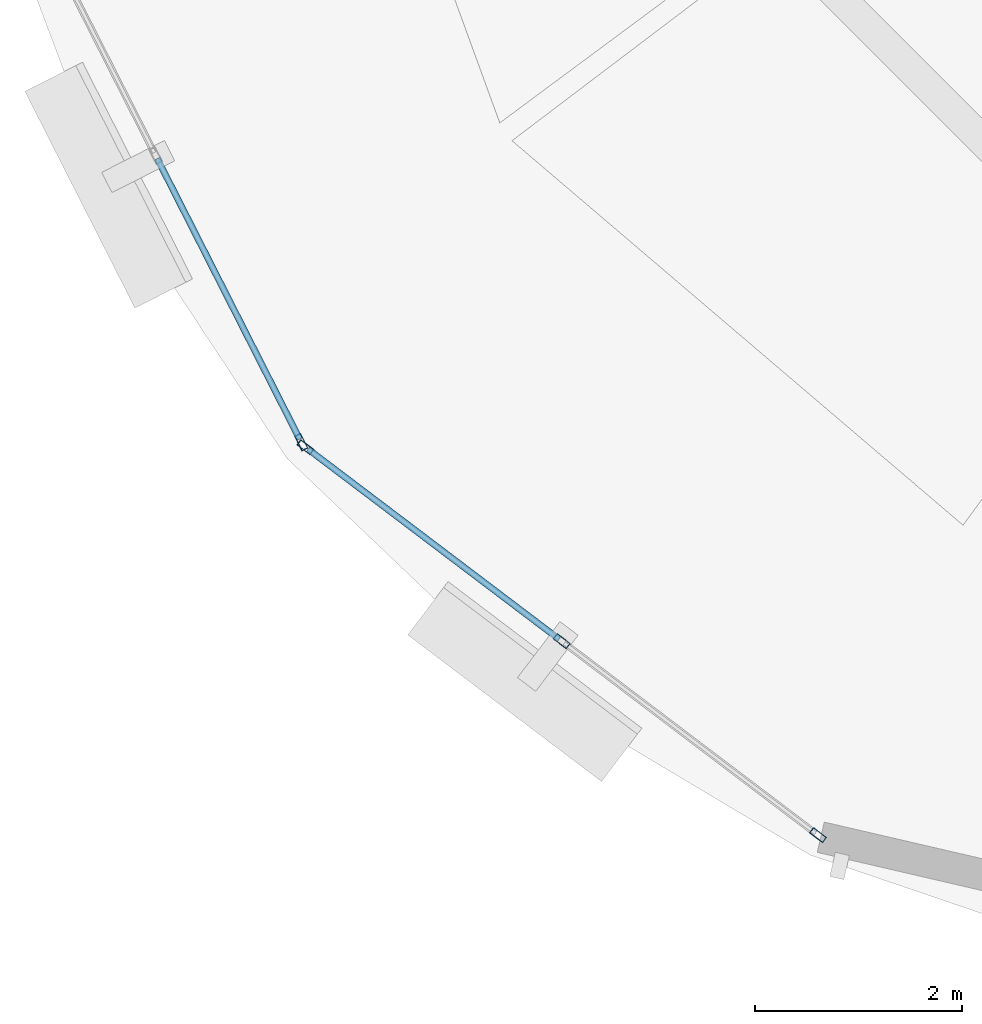
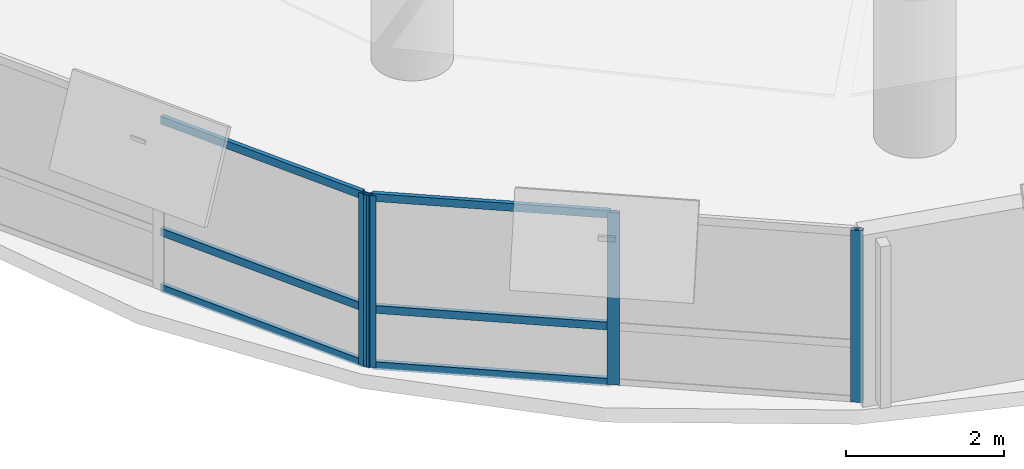
# One storey, part 2 of 12: 10 members, 2 elements without a shape of their own.
"""IFC4 building model written with IfcOpenShell, lengths in metres."""

from ifc_helpers import new_model, si_unit, direction, frame, origin, origin_2d, place, context, subcontext, project, spatial, hollow_rectangle, extrude, material, layer, layer_set, material_profile, profile_set, type_object, element, aggregate, save


model = new_model("IFC4")

# Units and contexts
model_context = context("Model", 3, precision=1e-05, world=origin(), true_north=direction((0.0, 1.0)))
body_context = subcontext(model_context, "Body", "Model", "MODEL_VIEW")
ifc_project = project(units=[si_unit("LENGTHUNIT", "METRE"), si_unit("AREAUNIT", "SQUARE_METRE"), si_unit("VOLUMEUNIT", "CUBIC_METRE"), si_unit("PLANEANGLEUNIT", "RADIAN"), si_unit("MASSUNIT", "GRAM", prefix="KILO"), si_unit("THERMODYNAMICTEMPERATUREUNIT", "KELVIN"), si_unit("POWERUNIT", "WATT")], contexts=[model_context])

# Site, building, storey
site_placement = place(None, origin())
site = spatial("IfcSite", under=ifc_project, at=site_placement, CompositionType="ELEMENT")
building_placement = place(site_placement, origin())
building = spatial("IfcBuilding", under=site, at=building_placement, Name="Ocrelia Relay Tower", CompositionType="ELEMENT")
storey_placement = place(building_placement, frame((0.0, 0.0, 198.800048828125)))
storey = spatial("IfcBuildingStorey", under=building, at=storey_placement, Name="L48", CompositionType="ELEMENT", Elevation=198.800048828125)

# Curtain wall, member
ifc_material_1 = material(Name="Aluminium and solar-control low-E glass", Category="aluminium")
ifc_layer = layer(ifc_material_1, 0.179931640625, Name="Aluminium and solar-control low-E glass")
ifc_layer_set = layer_set([ifc_layer], Name="Aluminium and solar-control low-E glass")
curtain_wall_type = type_object("IfcCurtainWallType", Name="CW-SYS-Z3-CLOU", PredefinedType="NOTDEFINED", material=ifc_layer_set)
curtain_wall_1_placement = place(storey_placement, origin())
curtain_wall_1 = element("IfcCurtainWall", 1, at=curtain_wall_1_placement, inside=storey, type_object=curtain_wall_type, Name="L48 Elliptical Tower Curtain Wall Bay 09", PredefinedType="NOTDEFINED")
ifc_material_2 = material(Name="Anodised bronze aluminium", Category="aluminium")
ifc_material_profile_1 = material_profile(ifc_material_2, hollow_rectangle(XDim=0.06494140625, YDim=0.159912109375, WallThickness=0.0048828125, at=origin_2d()), Name="CW-MUL-160x65")
ifc_profile_set_1 = profile_set([ifc_material_profile_1], Name="Anodised bronze aluminium")
member_type_1 = type_object("IfcMemberType", Name="CW-SYS-Z3-CLOU-MUL", PredefinedType="MULLION", material=ifc_profile_set_1)
member_1_placement = place(storey_placement, frame((16.03369140625, 11.01904296875, 0.0), z_axis=(0.0, 0.0, 1.0), x_axis=(0.891643737552, 0.4527377224, 0.0)))
member_1 = element("IfcMember", 2, at=member_1_placement, type_object=member_type_1, Name="CW-Z3 mullion 3", PredefinedType="MULLION", context=body_context, shape_type="SweptSolid", body=[
    extrude(hollow_rectangle(XDim=0.06494140625, YDim=0.159912109375, WallThickness=0.0048828125, at=origin_2d()), origin(), (0.0, 0.0, 1.0), 2.659912109375),
])

# Curtain wall, members
curtain_wall_2_placement = place(storey_placement, origin())
curtain_wall_2 = element("IfcCurtainWall", 3, at=curtain_wall_2_placement, inside=storey, type_object=curtain_wall_type, Name="L48 Elliptical Tower Curtain Wall Bay 10", PredefinedType="NOTDEFINED")
member_2_placement = place(storey_placement, frame((16.07421875, 10.970458984375, 0.0), z_axis=(0.0, 0.0, 1.0), x_axis=(0.603480690615, 0.79737761196, 0.0)))
member_2 = element("IfcMember", 4, at=member_2_placement, type_object=member_type_1, Name="CW-Z3 mullion 1", PredefinedType="MULLION", context=body_context, shape_type="SweptSolid", body=[
    extrude(hollow_rectangle(XDim=0.06494140625, YDim=0.159912109375, WallThickness=0.0048828125, at=origin_2d()), origin(), (0.0, 0.0, 1.0), 2.659912109375),
])
member_3_placement = place(storey_placement, frame((18.55322265625, 9.09423828125, 0.0), z_axis=(0.0, 0.0, 1.0), x_axis=(0.603480690615, 0.79737761196, 0.0)))
member_3 = element("IfcMember", 5, at=member_3_placement, type_object=member_type_1, Name="CW-Z3 mullion 2", PredefinedType="MULLION", context=body_context, shape_type="SweptSolid", body=[
    extrude(hollow_rectangle(XDim=0.06494140625, YDim=0.159912109375, WallThickness=0.0048828125, at=origin_2d()), origin(), (0.0, 0.0, 1.0), 2.659912109375),
])
member_4_placement = place(storey_placement, frame((21.031982421875, 7.21826171875, 0.0), z_axis=(0.0, 0.0, 1.0), x_axis=(0.603480690615, 0.79737761196, 0.0)))
member_4 = element("IfcMember", 6, at=member_4_placement, type_object=member_type_1, Name="CW-Z3 mullion 3", PredefinedType="MULLION", context=body_context, shape_type="SweptSolid", body=[
    extrude(hollow_rectangle(XDim=0.06494140625, YDim=0.159912109375, WallThickness=0.0048828125, at=origin_2d()), origin(), (0.0, 0.0, 1.0), 2.659912109375),
])

# Member
ifc_material_profile_2 = material_profile(ifc_material_2, hollow_rectangle(XDim=0.06005859375, YDim=0.1201171875, WallThickness=0.0048828125, at=origin_2d()), Name="CW-TRN-120x60")
ifc_profile_set_2 = profile_set([ifc_material_profile_2], Name="Anodised bronze aluminium")
member_type_2 = type_object("IfcMemberType", Name="CW-SYS-Z3-CLOU-TRN", PredefinedType="USERDEFINED", material=ifc_profile_set_2)
member_5_placement = place(storey_placement, frame((14.640869140625, 13.761962890625, 0.030029296875), z_axis=(0.45272375649, -0.891650828693, 0.0), x_axis=(0.891650828693, 0.45272375649, 0.0)))
member_5 = element("IfcMember", 7, at=member_5_placement, type_object=member_type_2, Name="CW-Z3 transom 2.1", ObjectType="TRANSOM", PredefinedType="USERDEFINED", context=body_context, shape_type="SweptSolid", body=[
    extrude(hollow_rectangle(XDim=0.06005859375, YDim=0.1201171875, WallThickness=0.0048828125, at=origin_2d()), origin(), (0.0, 0.0, 1.0), 3.043701171875),
])

member_6_placement = place(storey_placement, frame((14.640869140625, 13.761962890625, 0.89990234375), z_axis=(0.45272375649, -0.891650828693, 0.0), x_axis=(0.891650828693, 0.45272375649, 0.0)))
member_6 = element("IfcMember", 8, at=member_6_placement, type_object=member_type_2, Name="CW-Z3 transom 2.2", ObjectType="TRANSOM", PredefinedType="USERDEFINED", context=body_context, shape_type="SweptSolid", body=[
    extrude(hollow_rectangle(XDim=0.06005859375, YDim=0.1201171875, WallThickness=0.0048828125, at=origin_2d()), origin(), (0.0, 0.0, 1.0), 3.043701171875),
])

member_7_placement = place(storey_placement, frame((14.640869140625, 13.761962890625, 2.6298828125), z_axis=(0.45272375649, -0.891650828693, 0.0), x_axis=(0.891650828693, 0.45272375649, 0.0)))
member_7 = element("IfcMember", 9, at=member_7_placement, type_object=member_type_2, Name="CW-Z3 transom 2.3", ObjectType="TRANSOM", PredefinedType="USERDEFINED", context=body_context, shape_type="SweptSolid", body=[
    extrude(hollow_rectangle(XDim=0.06005859375, YDim=0.1201171875, WallThickness=0.0048828125, at=origin_2d()), origin(), (0.0, 0.0, 1.0), 3.043701171875),
])

aggregate(curtain_wall_1, [member_1, member_5, member_6, member_7])

member_8_placement = place(storey_placement, frame((16.10009765625, 10.950927734375, 0.030029296875), z_axis=(0.7973938686, -0.603459210154, 0.0), x_axis=(0.603459210154, 0.7973938686, 0.0)))
member_8 = element("IfcMember", 10, at=member_8_placement, type_object=member_type_2, Name="CW-Z3 transom 1.1", ObjectType="TRANSOM", PredefinedType="USERDEFINED", context=body_context, shape_type="SweptSolid", body=[
    extrude(hollow_rectangle(XDim=0.06005859375, YDim=0.1201171875, WallThickness=0.0048828125, at=origin_2d()), origin(), (0.0, 0.0, 1.0), 3.0439453125),
])

member_9_placement = place(storey_placement, frame((16.10009765625, 10.950927734375, 0.89990234375), z_axis=(0.7973938686, -0.603459210154, 0.0), x_axis=(0.603459210154, 0.7973938686, 0.0)))
member_9 = element("IfcMember", 11, at=member_9_placement, type_object=member_type_2, Name="CW-Z3 transom 1.2", ObjectType="TRANSOM", PredefinedType="USERDEFINED", context=body_context, shape_type="SweptSolid", body=[
    extrude(hollow_rectangle(XDim=0.06005859375, YDim=0.1201171875, WallThickness=0.0048828125, at=origin_2d()), origin(), (0.0, 0.0, 1.0), 3.0439453125),
])

member_10_placement = place(storey_placement, frame((16.10009765625, 10.950927734375, 2.6298828125), z_axis=(0.7973938686, -0.603459210154, 0.0), x_axis=(0.603459210154, 0.7973938686, 0.0)))
member_10 = element("IfcMember", 12, at=member_10_placement, type_object=member_type_2, Name="CW-Z3 transom 1.3", ObjectType="TRANSOM", PredefinedType="USERDEFINED", context=body_context, shape_type="SweptSolid", body=[
    extrude(hollow_rectangle(XDim=0.06005859375, YDim=0.1201171875, WallThickness=0.0048828125, at=origin_2d()), origin(), (0.0, 0.0, 1.0), 3.0439453125),
])

aggregate(curtain_wall_2, [member_2, member_3, member_4, member_8, member_9, member_10])

save(model, "model.ifc")
